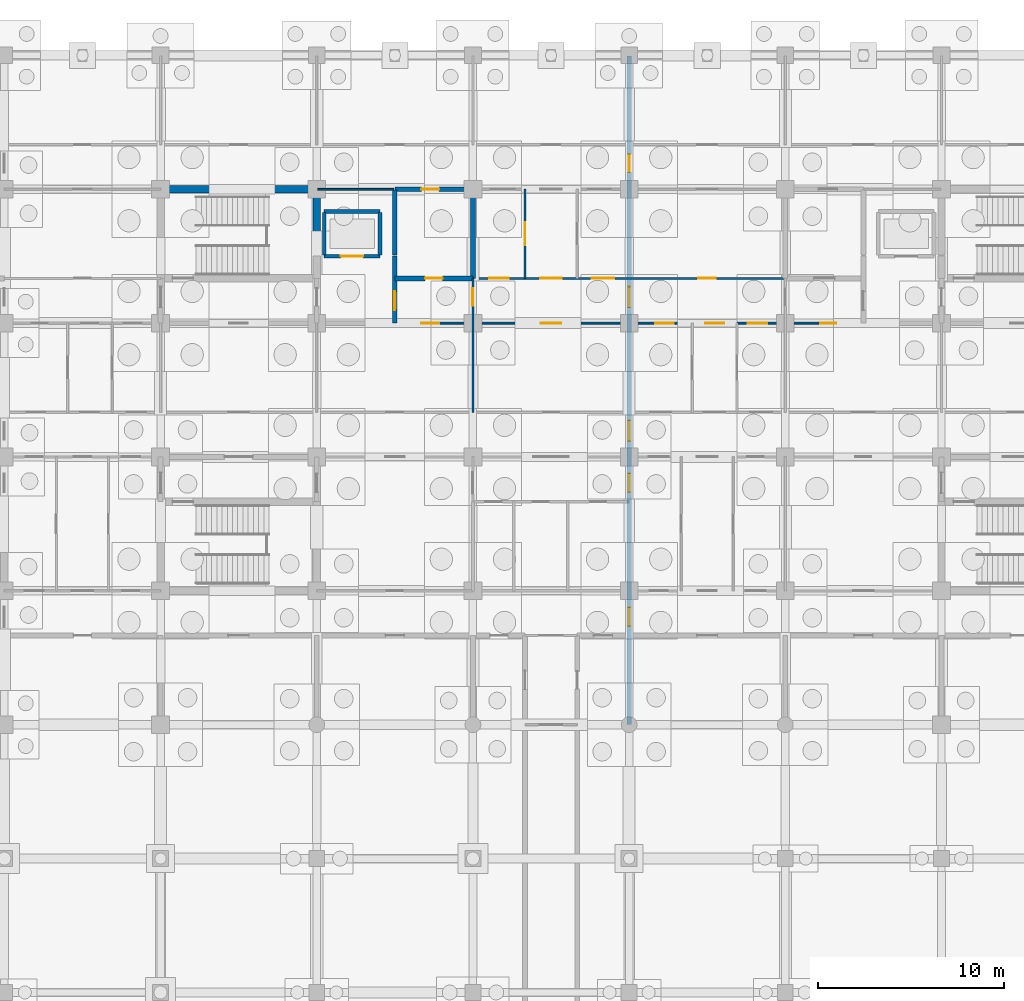
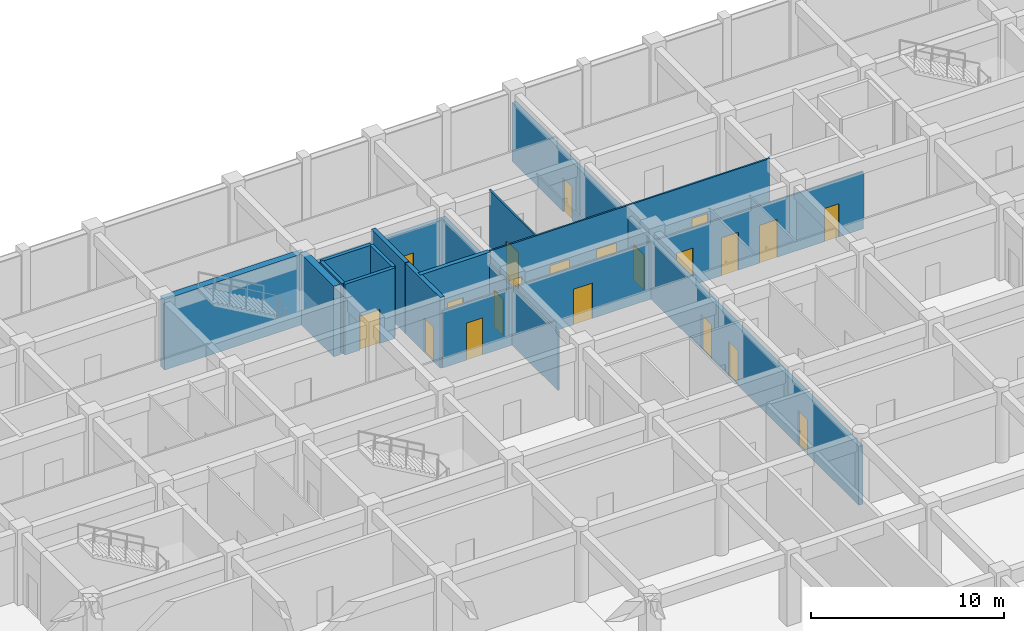
# One storey, part 71 of 85: 21 doors, 17 walls, 21 openings.
"""IFC4 building model written with IfcOpenShell, lengths in metres."""

from ifc_helpers import new_model, si_unit, direction, frame, frame_2d, origin, place, context, subcontext, project, spatial, rectangle, extrude, material, layer, layer_set, type_object, element, fill, save


model = new_model("IFC4")

# Units and contexts
model_context = context("Model", 3, precision=1e-05, world=origin(), true_north=direction((0.0, 1.0)))
body_context = subcontext(model_context, "Body", "Model", "MODEL_VIEW")
ifc_project = project(units=[si_unit("LENGTHUNIT", "METRE"), si_unit("AREAUNIT", "SQUARE_METRE"), si_unit("VOLUMEUNIT", "CUBIC_METRE"), si_unit("PLANEANGLEUNIT", "RADIAN"), si_unit("MASSUNIT", "GRAM", prefix="KILO")], contexts=[model_context])

# Site, building, storey
site_placement = place(None, origin())
site = spatial("IfcSite", under=ifc_project, at=site_placement, CompositionType="ELEMENT")
building_placement = place(site_placement, origin())
building = spatial("IfcBuilding", under=site, at=building_placement, Name="Chengyuan Square Courthouse", CompositionType="ELEMENT")
storey_placement = place(building_placement, frame((0.0, 0.0, -10.199951171875)))
storey = spatial("IfcBuildingStorey", under=building, at=storey_placement, Name="B02", CompositionType="ELEMENT", Elevation=-10.199951171875)

# Wall, opening, door
ifc_material_1 = material(Name="Concrete C40", Category="concrete")
ifc_layer_1 = layer(ifc_material_1, 0.25)
ifc_layer_set_1 = layer_set([ifc_layer_1], Name="Concrete C40")
wall_type_1 = type_object("IfcWallType", Name="WL-FW1", PredefinedType="STANDARD", material=ifc_layer_set_1)
wall_1_placement = place(storey_placement, frame((71.39990234375, 103.199951171875, 0.0), z_axis=(0.0, 0.0, 1.0), x_axis=(1.0, 0.0, 0.0)))
wall_1 = element("IfcWall", 1, at=wall_1_placement, inside=storey, type_object=wall_type_1, Name="Interior Wall WL-B02-I078", PredefinedType="STANDARD", context=body_context, shape_type="SweptSolid", body=[
    extrude(rectangle(XDim=4.2001953125, YDim=0.25, at=frame_2d((2.10009765625, 0.0))), origin(), (0.0, 0.0, 1.0), 4.47998046875),
])
opening_1_placement = place(wall_1_placement, frame((1.625, 0.0, 0.0)))
opening_1 = element("IfcOpeningElement", 2, at=opening_1_placement, cuts=wall_1, Name="Opening DR-063", PredefinedType="OPENING", context=body_context, shape_type="SweptSolid", body=[
    extrude(rectangle(XDim=0.949951171875, YDim=2.14990234375, at=frame_2d((0.47509765625, 1.074951171875))), frame((0.0, 0.136962890625, 0.0), z_axis=(0.0, -1.0, 0.0), x_axis=(1.0, 0.0, 0.0)), (0.0, 0.0, 1.0), 0.27392578125),
])
ifc_material_2 = material(Name="Steel Q235B Fire Door", Category="steel")
door_type_1 = type_object("IfcDoorType", Name="DT-12", OperationType="NOTDEFINED", PredefinedType="DOOR", material=ifc_material_2)
door_1_placement = place(opening_1_placement, origin())
door_1 = element("IfcDoor", 3, at=door_1_placement, inside=storey, type_object=door_type_1, Name="Interior Door DR-063", OperationType="SINGLE_SWING_LEFT", OverallHeight=2.14990234375, OverallWidth=0.949951171875, PredefinedType="DOOR", context=body_context, shape_type="SweptSolid", body=[
    extrude(rectangle(XDim=0.949951171875, YDim=2.14990234375, at=frame_2d((0.47509765625, 1.074951171875))), frame((0.0, 0.02490234375, 0.0), z_axis=(0.0, -1.0, 0.0), x_axis=(1.0, 0.0, 0.0)), (0.0, 0.0, 1.0), 0.050048828125),
])
fill(opening_1, door_1)

wall_2_placement = place(storey_placement, frame((71.39990234375, 108.0, 0.0), z_axis=(0.0, 0.0, 1.0), x_axis=(1.0, 0.0, 0.0)))
wall_2 = element("IfcWall", 4, at=wall_2_placement, inside=storey, type_object=wall_type_1, Name="Interior Wall WL-B02-I100", PredefinedType="STANDARD", context=body_context, shape_type="SweptSolid", body=[
    extrude(rectangle(XDim=4.2001953125, YDim=0.25, at=frame_2d((2.10009765625, 0.0))), origin(), (0.0, 0.0, 1.0), 3.6298828125),
])
opening_2_placement = place(wall_2_placement, frame((1.427490234375, 0.0, 0.0)))
opening_2 = element("IfcOpeningElement", 5, at=opening_2_placement, cuts=wall_2, Name="Opening DR-066", PredefinedType="OPENING", context=body_context, shape_type="SweptSolid", body=[
    extrude(rectangle(XDim=0.949951171875, YDim=2.14990234375, at=frame_2d((0.47509765625, 1.074951171875))), frame((0.0, 0.136962890625, 0.0), z_axis=(0.0, -1.0, 0.0), x_axis=(1.0, 0.0, 0.0)), (0.0, 0.0, 1.0), 0.27392578125),
])
door_2_placement = place(opening_2_placement, origin())
door_2 = element("IfcDoor", 6, at=door_2_placement, inside=storey, type_object=door_type_1, Name="Interior Door DR-066", OperationType="SINGLE_SWING_RIGHT", OverallHeight=2.14990234375, OverallWidth=0.949951171875, PredefinedType="DOOR", context=body_context, shape_type="SweptSolid", body=[
    extrude(rectangle(XDim=0.949951171875, YDim=2.14990234375, at=frame_2d((0.47509765625, 1.074951171875))), frame((0.0, 0.02490234375, 0.0), z_axis=(0.0, -1.0, 0.0), x_axis=(1.0, 0.0, 0.0)), (0.0, 0.0, 1.0), 0.050048828125),
])
fill(opening_2, door_2)

wall_3_placement = place(storey_placement, frame((71.39990234375, 100.800048828125, 0.0), z_axis=(0.0, 0.0, 1.0), x_axis=(0.0, 1.0, 0.0)))
wall_3 = element("IfcWall", 7, at=wall_3_placement, inside=storey, type_object=wall_type_1, Name="Interior Wall WL-B02-I181", PredefinedType="STANDARD", context=body_context, shape_type="SweptSolid", body=[
    extrude(rectangle(XDim=3.599853515625, YDim=0.25, at=frame_2d((1.7998046875, 0.0))), origin(), (0.0, 0.0, 1.0), 4.47998046875),
])
opening_3_placement = place(wall_3_placement, frame((0.699951171875, 0.0, 0.0)))
opening_3 = element("IfcOpeningElement", 8, at=opening_3_placement, cuts=wall_3, Name="Opening DR-062", PredefinedType="OPENING", context=body_context, shape_type="SweptSolid", body=[
    extrude(rectangle(XDim=1.0, YDim=2.199951171875, at=frame_2d((0.5, 1.10009765625))), frame((0.0, 0.136962890625, 0.0), z_axis=(0.0, -1.0, 0.0), x_axis=(1.0, 0.0, 0.0)), (0.0, 0.0, 1.0), 0.27392578125),
])
door_type_2 = type_object("IfcDoorType", Name="DT-11", OperationType="NOTDEFINED", PredefinedType="DOOR", material=ifc_material_2)
door_3_placement = place(opening_3_placement, origin())
door_3 = element("IfcDoor", 9, at=door_3_placement, inside=storey, type_object=door_type_2, Name="Interior Door DR-062", OperationType="SINGLE_SWING_RIGHT", OverallHeight=2.199951171875, OverallWidth=1.0, PredefinedType="DOOR", context=body_context, shape_type="SweptSolid", body=[
    extrude(rectangle(XDim=1.0, YDim=2.199951171875, at=frame_2d((0.5, 1.10009765625))), frame((0.0, 0.02490234375, 0.0), z_axis=(0.0, -1.0, 0.0), x_axis=(1.0, 0.0, 0.0)), (0.0, 0.0, 1.0), 0.050048828125),
])
fill(opening_3, door_3)

# Walls
wall_4_placement = place(storey_placement, frame((71.39990234375, 104.449951171875, 0.0), z_axis=(0.0, 0.0, 1.0), x_axis=(0.0, 1.0, 0.0)))
element("IfcWall", 10, at=wall_4_placement, inside=storey, type_object=wall_type_1, Name="Interior Wall WL-B02-I182", PredefinedType="STANDARD", context=body_context, shape_type="SweptSolid", body=[
    extrude(rectangle(XDim=3.5, YDim=0.25, at=frame_2d((1.75, 0.0))), origin(), (0.0, 0.0, 1.0), 4.47998046875),
])
wall_5_placement = place(storey_placement, frame((75.60009765625, 103.199951171875, 0.0), z_axis=(0.0, 0.0, 1.0), x_axis=(0.0, 1.0, 0.0)))
element("IfcWall", 11, at=wall_5_placement, inside=storey, type_object=wall_type_1, Name="Interior Wall WL-B02-I187", PredefinedType="STANDARD", context=body_context, shape_type="SweptSolid", body=[
    extrude(rectangle(XDim=4.800048828125, YDim=0.25, at=frame_2d((2.39990234375, 0.0))), origin(), (0.0, 0.0, 1.0), 3.72998046875),
])

# Wall, openings, doors
wall_6_placement = place(storey_placement, frame((84.0, 79.199951171875, 0.0), z_axis=(0.0, 0.0, 1.0), x_axis=(0.0, 1.0, 0.0)))
wall_6 = element("IfcWall", 12, at=wall_6_placement, inside=storey, type_object=wall_type_1, Name="Interior Wall WL-B02-I199", PredefinedType="STANDARD", context=body_context, shape_type="SweptSolid", body=[
    extrude(rectangle(XDim=35.9599609375, YDim=0.25, at=frame_2d((17.97998046875, 0.0))), origin(), (0.0, 0.0, 1.0), 3.72998046875),
])
opening_4_placement = place(wall_6_placement, frame((22.447509765625, 0.0, 0.0)))
opening_4 = element("IfcOpeningElement", 13, at=opening_4_placement, cuts=wall_6, Name="Opening DR-109", PredefinedType="OPENING", context=body_context, shape_type="SweptSolid", body=[
    extrude(rectangle(XDim=1.10009765625, YDim=2.199951171875, at=frame_2d((0.550048828125, 1.10009765625))), frame((0.0, 0.136962890625, 0.0), z_axis=(0.0, -1.0, 0.0), x_axis=(1.0, 0.0, 0.0)), (0.0, 0.0, 1.0), 0.27392578125),
])
opening_5_placement = place(wall_6_placement, frame((12.50244140625, 0.0, 0.0)))
opening_5 = element("IfcOpeningElement", 14, at=opening_5_placement, cuts=wall_6, Name="Opening DR-146", PredefinedType="OPENING", context=body_context, shape_type="SweptSolid", body=[
    extrude(rectangle(XDim=1.0, YDim=2.199951171875, at=frame_2d((0.5, 1.10009765625))), frame((0.0, 0.136962890625, 0.0), z_axis=(0.0, -1.0, 0.0), x_axis=(1.0, 0.0, 0.0)), (0.0, 0.0, 1.0), 0.27392578125),
])
opening_6_placement = place(wall_6_placement, frame((15.24755859375, 0.0, 0.0)))
opening_6 = element("IfcOpeningElement", 15, at=opening_6_placement, cuts=wall_6, Name="Opening DR-166", PredefinedType="OPENING", context=body_context, shape_type="SweptSolid", body=[
    extrude(rectangle(XDim=1.10009765625, YDim=2.199951171875, at=frame_2d((0.550048828125, 1.10009765625))), frame((0.0, 0.136962890625, 0.0), z_axis=(0.0, -1.0, 0.0), x_axis=(1.0, 0.0, 0.0)), (0.0, 0.0, 1.0), 0.27392578125),
])
opening_7_placement = place(wall_6_placement, frame((29.722412109375, 0.0, 0.0)))
opening_7 = element("IfcOpeningElement", 16, at=opening_7_placement, cuts=wall_6, Name="Opening DR-273", PredefinedType="OPENING", context=body_context, shape_type="SweptSolid", body=[
    extrude(rectangle(XDim=0.949951171875, YDim=2.14990234375, at=frame_2d((0.47509765625, 1.074951171875))), frame((0.0, 0.136962890625, 0.0), z_axis=(0.0, -1.0, 0.0), x_axis=(1.0, 0.0, 0.0)), (0.0, 0.0, 1.0), 0.27392578125),
])
opening_8_placement = place(wall_6_placement, frame((5.302490234375, 0.0, 0.0)))
opening_8 = element("IfcOpeningElement", 17, at=opening_8_placement, cuts=wall_6, Name="Opening DR-296", PredefinedType="OPENING", context=body_context, shape_type="SweptSolid", body=[
    extrude(rectangle(XDim=1.0, YDim=2.199951171875, at=frame_2d((0.5, 1.10009765625))), frame((0.0, 0.136962890625, 0.0), z_axis=(0.0, -1.0, 0.0), x_axis=(1.0, 0.0, 0.0)), (0.0, 0.0, 1.0), 0.27392578125),
])
door_type_3 = type_object("IfcDoorType", Name="DT-10", OperationType="NOTDEFINED", PredefinedType="DOOR", material=ifc_material_2)
door_4_placement = place(opening_4_placement, origin())
door_4 = element("IfcDoor", 18, at=door_4_placement, inside=storey, type_object=door_type_3, Name="Interior Door DR-109", OperationType="SINGLE_SWING_LEFT", OverallHeight=2.199951171875, OverallWidth=1.10009765625, PredefinedType="DOOR", context=body_context, shape_type="SweptSolid", body=[
    extrude(rectangle(XDim=1.10009765625, YDim=2.199951171875, at=frame_2d((0.550048828125, 1.10009765625))), frame((0.0, 0.02490234375, 0.0), z_axis=(0.0, -1.0, 0.0), x_axis=(1.0, 0.0, 0.0)), (0.0, 0.0, 1.0), 0.050048828125),
])
fill(opening_4, door_4)
door_5_placement = place(opening_6_placement, origin())
door_5 = element("IfcDoor", 19, at=door_5_placement, inside=storey, type_object=door_type_3, Name="Interior Door DR-166", OperationType="SINGLE_SWING_LEFT", OverallHeight=2.199951171875, OverallWidth=1.10009765625, PredefinedType="DOOR", context=body_context, shape_type="SweptSolid", body=[
    extrude(rectangle(XDim=1.10009765625, YDim=2.199951171875, at=frame_2d((0.550048828125, 1.10009765625))), frame((0.0, 0.02490234375, 0.0), z_axis=(0.0, -1.0, 0.0), x_axis=(1.0, 0.0, 0.0)), (0.0, 0.0, 1.0), 0.050048828125),
])
fill(opening_6, door_5)
door_6_placement = place(opening_5_placement, origin())
door_6 = element("IfcDoor", 20, at=door_6_placement, inside=storey, type_object=door_type_2, Name="Interior Door DR-146", OperationType="SINGLE_SWING_LEFT", OverallHeight=2.199951171875, OverallWidth=1.0, PredefinedType="DOOR", context=body_context, shape_type="SweptSolid", body=[
    extrude(rectangle(XDim=1.0, YDim=2.199951171875, at=frame_2d((0.5, 1.10009765625))), frame((0.0, 0.02490234375, 0.0), z_axis=(0.0, -1.0, 0.0), x_axis=(1.0, 0.0, 0.0)), (0.0, 0.0, 1.0), 0.050048828125),
])
fill(opening_5, door_6)
door_7_placement = place(opening_8_placement, origin())
door_7 = element("IfcDoor", 21, at=door_7_placement, inside=storey, type_object=door_type_2, Name="Interior Door DR-296", OperationType="SINGLE_SWING_LEFT", OverallHeight=2.199951171875, OverallWidth=1.0, PredefinedType="DOOR", context=body_context, shape_type="SweptSolid", body=[
    extrude(rectangle(XDim=1.0, YDim=2.199951171875, at=frame_2d((0.5, 1.10009765625))), frame((0.0, 0.02490234375, 0.0), z_axis=(0.0, -1.0, 0.0), x_axis=(1.0, 0.0, 0.0)), (0.0, 0.0, 1.0), 0.050048828125),
])
fill(opening_8, door_7)
door_8_placement = place(opening_7_placement, origin())
door_8 = element("IfcDoor", 22, at=door_8_placement, inside=storey, type_object=door_type_1, Name="Interior Door DR-273", OperationType="SINGLE_SWING_RIGHT", OverallHeight=2.14990234375, OverallWidth=0.949951171875, PredefinedType="DOOR", context=body_context, shape_type="SweptSolid", body=[
    extrude(rectangle(XDim=0.949951171875, YDim=2.14990234375, at=frame_2d((0.47509765625, 1.074951171875))), frame((0.0, 0.02490234375, 0.0), z_axis=(0.0, -1.0, 0.0), x_axis=(1.0, 0.0, 0.0)), (0.0, 0.0, 1.0), 0.050048828125),
])
fill(opening_7, door_8)

ifc_material_3 = material(Name="Gypsum Plasterboard Acoustic Stud Partition")
ifc_layer_2 = layer(ifc_material_3, 0.10009765625)
ifc_layer_set_2 = layer_set([ifc_layer_2], Name="Gypsum Plasterboard Acoustic Stud Partition")
wall_type_2 = type_object("IfcWallType", Name="WL-PT6", PredefinedType="STANDARD", material=ifc_layer_set_2)
wall_7_placement = place(storey_placement, frame((71.39990234375, 100.800048828125, 0.0), z_axis=(0.0, 0.0, 1.0), x_axis=(1.0, 0.0, 0.0)))
wall_7 = element("IfcWall", 23, at=wall_7_placement, inside=storey, type_object=wall_type_2, Name="Interior Wall WL-B02-I068", PredefinedType="STANDARD", context=body_context, shape_type="SweptSolid", body=[
    extrude(rectangle(XDim=25.2001953125, YDim=0.10009765625, at=frame_2d((12.60009765625, 0.0))), origin(), (0.0, 0.0, 1.0), 3.6298828125),
])
opening_9_placement = place(wall_7_placement, frame((1.41259765625, 0.0, 0.0)))
opening_9 = element("IfcOpeningElement", 24, at=opening_9_placement, cuts=wall_7, Name="Opening DR-065", PredefinedType="OPENING", context=body_context, shape_type="SweptSolid", body=[
    extrude(rectangle(XDim=0.97998046875, YDim=2.35009765625, at=frame_2d((0.489990234375, 1.175048828125))), frame((0.0, 0.06201171875, 0.0), z_axis=(0.0, -1.0, 0.0), x_axis=(1.0, 0.0, 0.0)), (0.0, 0.0, 1.0), 0.1240234375),
])
opening_10_placement = place(wall_7_placement, frame((22.867431640625, 0.0, 0.0)))
opening_10 = element("IfcOpeningElement", 25, at=opening_10_placement, cuts=wall_7, Name="Opening DR-070", PredefinedType="OPENING", context=body_context, shape_type="SweptSolid", body=[
    extrude(rectangle(XDim=0.860107421875, YDim=2.10009765625, at=frame_2d((0.43017578125, 1.050048828125))), frame((0.0, 0.06201171875, 0.0), z_axis=(0.0, -1.0, 0.0), x_axis=(1.0, 0.0, 0.0)), (0.0, 0.0, 1.0), 0.1240234375),
])
opening_11_placement = place(wall_7_placement, frame((7.840087890625, 0.0, 0.0)))
opening_11 = element("IfcOpeningElement", 26, at=opening_11_placement, cuts=wall_7, Name="Opening DR-110", PredefinedType="OPENING", context=body_context, shape_type="SweptSolid", body=[
    extrude(rectangle(XDim=1.1201171875, YDim=2.25, at=frame_2d((0.56005859375, 1.125))), frame((0.0, 0.06201171875, 0.0), z_axis=(0.0, -1.0, 0.0), x_axis=(1.0, 0.0, 0.0)), (0.0, 0.0, 1.0), 0.1240234375),
])
opening_12_placement = place(wall_7_placement, frame((14.007568359375, 0.0, 0.0)))
opening_12 = element("IfcOpeningElement", 27, at=opening_12_placement, cuts=wall_7, Name="Opening DR-116", PredefinedType="OPENING", context=body_context, shape_type="SweptSolid", body=[
    extrude(rectangle(XDim=0.97998046875, YDim=2.35009765625, at=frame_2d((0.489990234375, 1.175048828125))), frame((0.0, 0.06201171875, 0.0), z_axis=(0.0, -1.0, 0.0), x_axis=(1.0, 0.0, 0.0)), (0.0, 0.0, 1.0), 0.1240234375),
])
opening_13_placement = place(wall_7_placement, frame((16.68994140625, 0.0, 0.0)))
opening_13 = element("IfcOpeningElement", 28, at=opening_13_placement, cuts=wall_7, Name="Opening DR-117", PredefinedType="OPENING", context=body_context, shape_type="SweptSolid", body=[
    extrude(rectangle(XDim=1.02001953125, YDim=2.39990234375, at=frame_2d((0.510009765625, 1.199951171875))), frame((0.0, 0.06201171875, 0.0), z_axis=(0.0, -1.0, 0.0), x_axis=(1.0, 0.0, 0.0)), (0.0, 0.0, 1.0), 0.1240234375),
])
opening_14_placement = place(wall_7_placement, frame((18.972412109375, 0.0, 0.0)))
opening_14 = element("IfcOpeningElement", 29, at=opening_14_placement, cuts=wall_7, Name="Opening DR-118", PredefinedType="OPENING", context=body_context, shape_type="SweptSolid", body=[
    extrude(rectangle(XDim=1.06005859375, YDim=2.39990234375, at=frame_2d((0.530029296875, 1.199951171875))), frame((0.0, 0.06201171875, 0.0), z_axis=(0.0, -1.0, 0.0), x_axis=(1.0, 0.0, 0.0)), (0.0, 0.0, 1.0), 0.1240234375),
])
ifc_material_4 = material(Name="Acoustic Solid-Core Timber Door", Category="wood")
door_type_4 = type_object("IfcDoorType", Name="DT-28", OperationType="NOTDEFINED", PredefinedType="DOOR", material=ifc_material_4)
door_9_placement = place(opening_10_placement, origin())
door_9 = element("IfcDoor", 30, at=door_9_placement, inside=storey, type_object=door_type_4, Name="Interior Door DR-070", OperationType="SINGLE_SWING_RIGHT", OverallHeight=2.10009765625, OverallWidth=0.860107421875, PredefinedType="DOOR", context=body_context, shape_type="SweptSolid", body=[
    extrude(rectangle(XDim=0.860107421875, YDim=2.10009765625, at=frame_2d((0.43017578125, 1.050048828125))), frame((0.0, 0.02490234375, 0.0), z_axis=(0.0, -1.0, 0.0), x_axis=(1.0, 0.0, 0.0)), (0.0, 0.0, 1.0), 0.050048828125),
])
fill(opening_10, door_9)
door_type_5 = type_object("IfcDoorType", Name="DT-34", OperationType="NOTDEFINED", PredefinedType="DOOR", material=ifc_material_4)
door_10_placement = place(opening_11_placement, origin())
door_10 = element("IfcDoor", 31, at=door_10_placement, inside=storey, type_object=door_type_5, Name="Interior Door DR-110", OperationType="SINGLE_SWING_RIGHT", OverallHeight=2.25, OverallWidth=1.1201171875, PredefinedType="DOOR", context=body_context, shape_type="SweptSolid", body=[
    extrude(rectangle(XDim=1.1201171875, YDim=2.25, at=frame_2d((0.56005859375, 1.125))), frame((0.0, 0.02490234375, 0.0), z_axis=(0.0, -1.0, 0.0), x_axis=(1.0, 0.0, 0.0)), (0.0, 0.0, 1.0), 0.050048828125),
])
fill(opening_11, door_10)
door_type_6 = type_object("IfcDoorType", Name="DT-40", OperationType="NOTDEFINED", PredefinedType="DOOR", material=ifc_material_4)
door_11_placement = place(opening_9_placement, origin())
door_11 = element("IfcDoor", 32, at=door_11_placement, inside=storey, type_object=door_type_6, Name="Interior Door DR-065", OperationType="SINGLE_SWING_LEFT", OverallHeight=2.35009765625, OverallWidth=0.97998046875, PredefinedType="DOOR", context=body_context, shape_type="SweptSolid", body=[
    extrude(rectangle(XDim=0.97998046875, YDim=2.35009765625, at=frame_2d((0.489990234375, 1.175048828125))), frame((0.0, 0.02490234375, 0.0), z_axis=(0.0, -1.0, 0.0), x_axis=(1.0, 0.0, 0.0)), (0.0, 0.0, 1.0), 0.050048828125),
])
fill(opening_9, door_11)
door_12_placement = place(opening_12_placement, origin())
door_12 = element("IfcDoor", 33, at=door_12_placement, inside=storey, type_object=door_type_6, Name="Interior Door DR-116", OperationType="SINGLE_SWING_RIGHT", OverallHeight=2.35009765625, OverallWidth=0.97998046875, PredefinedType="DOOR", context=body_context, shape_type="SweptSolid", body=[
    extrude(rectangle(XDim=0.97998046875, YDim=2.35009765625, at=frame_2d((0.489990234375, 1.175048828125))), frame((0.0, 0.02490234375, 0.0), z_axis=(0.0, -1.0, 0.0), x_axis=(1.0, 0.0, 0.0)), (0.0, 0.0, 1.0), 0.050048828125),
])
fill(opening_12, door_12)
door_type_7 = type_object("IfcDoorType", Name="DT-41", OperationType="NOTDEFINED", PredefinedType="DOOR", material=ifc_material_4)
door_13_placement = place(opening_13_placement, origin())
door_13 = element("IfcDoor", 34, at=door_13_placement, inside=storey, type_object=door_type_7, Name="Interior Door DR-117", OperationType="SINGLE_SWING_LEFT", OverallHeight=2.39990234375, OverallWidth=1.02001953125, PredefinedType="DOOR", context=body_context, shape_type="SweptSolid", body=[
    extrude(rectangle(XDim=1.02001953125, YDim=2.39990234375, at=frame_2d((0.510009765625, 1.199951171875))), frame((0.0, 0.02490234375, 0.0), z_axis=(0.0, -1.0, 0.0), x_axis=(1.0, 0.0, 0.0)), (0.0, 0.0, 1.0), 0.050048828125),
])
fill(opening_13, door_13)
door_type_8 = type_object("IfcDoorType", Name="DT-42", OperationType="NOTDEFINED", PredefinedType="DOOR", material=ifc_material_4)
door_14_placement = place(opening_14_placement, origin())
door_14 = element("IfcDoor", 35, at=door_14_placement, inside=storey, type_object=door_type_8, Name="Interior Door DR-118", OperationType="SINGLE_SWING_RIGHT", OverallHeight=2.39990234375, OverallWidth=1.06005859375, PredefinedType="DOOR", context=body_context, shape_type="SweptSolid", body=[
    extrude(rectangle(XDim=1.06005859375, YDim=2.39990234375, at=frame_2d((0.530029296875, 1.199951171875))), frame((0.0, 0.02490234375, 0.0), z_axis=(0.0, -1.0, 0.0), x_axis=(1.0, 0.0, 0.0)), (0.0, 0.0, 1.0), 0.050048828125),
])
fill(opening_14, door_14)

wall_8_placement = place(storey_placement, frame((75.60009765625, 103.199951171875, 0.0), z_axis=(0.0, 0.0, 1.0), x_axis=(1.0, 0.0, 0.0)))
wall_8 = element("IfcWall", 36, at=wall_8_placement, inside=storey, type_object=wall_type_2, Name="Interior Wall WL-B02-I079", PredefinedType="STANDARD", context=body_context, shape_type="SweptSolid", body=[
    extrude(rectangle(XDim=16.7998046875, YDim=0.10009765625, at=frame_2d((8.39990234375, 0.0))), origin(), (0.0, 0.0, 1.0), 4.47998046875),
])
opening_15_placement = place(wall_8_placement, frame((0.8798828125, 0.0, 0.0)))
opening_15 = element("IfcOpeningElement", 37, at=opening_15_placement, cuts=wall_8, Name="Opening DR-108", PredefinedType="OPENING", context=body_context, shape_type="SweptSolid", body=[
    extrude(rectangle(XDim=1.0400390625, YDim=2.199951171875, at=frame_2d((0.52001953125, 1.10009765625))), frame((0.0, 0.06201171875, 0.0), z_axis=(0.0, -1.0, 0.0), x_axis=(1.0, 0.0, 0.0)), (0.0, 0.0, 1.0), 0.1240234375),
])
opening_16_placement = place(wall_8_placement, frame((3.6201171875, 0.0, 0.0)))
opening_16 = element("IfcOpeningElement", 38, at=opening_16_placement, cuts=wall_8, Name="Opening DR-111", PredefinedType="OPENING", context=body_context, shape_type="SweptSolid", body=[
    extrude(rectangle(XDim=1.159912109375, YDim=2.300048828125, at=frame_2d((0.580078125, 1.14990234375))), frame((0.0, 0.06201171875, 0.0), z_axis=(0.0, -1.0, 0.0), x_axis=(1.0, 0.0, 0.0)), (0.0, 0.0, 1.0), 0.1240234375),
])
opening_17_placement = place(wall_8_placement, frame((6.39990234375, 0.0, 0.0)))
opening_17 = element("IfcOpeningElement", 39, at=opening_17_placement, cuts=wall_8, Name="Opening DR-112", PredefinedType="OPENING", context=body_context, shape_type="SweptSolid", body=[
    extrude(rectangle(XDim=1.199951171875, YDim=2.35009765625, at=frame_2d((0.60009765625, 1.175048828125))), frame((0.0, 0.06201171875, 0.0), z_axis=(0.0, -1.0, 0.0), x_axis=(1.0, 0.0, 0.0)), (0.0, 0.0, 1.0), 0.1240234375),
])
opening_18_placement = place(wall_8_placement, frame((12.1298828125, 0.0, 0.0)))
opening_18 = element("IfcOpeningElement", 40, at=opening_18_placement, cuts=wall_8, Name="Opening DR-115", PredefinedType="OPENING", context=body_context, shape_type="SweptSolid", body=[
    extrude(rectangle(XDim=0.93994140625, YDim=2.300048828125, at=frame_2d((0.469970703125, 1.14990234375))), frame((0.0, 0.06201171875, 0.0), z_axis=(0.0, -1.0, 0.0), x_axis=(1.0, 0.0, 0.0)), (0.0, 0.0, 1.0), 0.1240234375),
])
door_type_9 = type_object("IfcDoorType", Name="DT-32", OperationType="NOTDEFINED", PredefinedType="DOOR", material=ifc_material_4)
door_15_placement = place(opening_15_placement, origin())
door_15 = element("IfcDoor", 41, at=door_15_placement, inside=storey, type_object=door_type_9, Name="Interior Door DR-108", OperationType="SINGLE_SWING_RIGHT", OverallHeight=2.199951171875, OverallWidth=1.0400390625, PredefinedType="DOOR", context=body_context, shape_type="SweptSolid", body=[
    extrude(rectangle(XDim=1.0400390625, YDim=2.199951171875, at=frame_2d((0.52001953125, 1.10009765625))), frame((0.0, 0.02490234375, 0.0), z_axis=(0.0, -1.0, 0.0), x_axis=(1.0, 0.0, 0.0)), (0.0, 0.0, 1.0), 0.050048828125),
])
fill(opening_15, door_15)
door_type_10 = type_object("IfcDoorType", Name="DT-35", OperationType="NOTDEFINED", PredefinedType="DOOR", material=ifc_material_4)
door_16_placement = place(opening_16_placement, origin())
door_16 = element("IfcDoor", 42, at=door_16_placement, inside=storey, type_object=door_type_10, Name="Interior Door DR-111", OperationType="SINGLE_SWING_LEFT", OverallHeight=2.300048828125, OverallWidth=1.159912109375, PredefinedType="DOOR", context=body_context, shape_type="SweptSolid", body=[
    extrude(rectangle(XDim=1.159912109375, YDim=2.300048828125, at=frame_2d((0.580078125, 1.14990234375))), frame((0.0, 0.02490234375, 0.0), z_axis=(0.0, -1.0, 0.0), x_axis=(1.0, 0.0, 0.0)), (0.0, 0.0, 1.0), 0.050048828125),
])
fill(opening_16, door_16)
door_type_11 = type_object("IfcDoorType", Name="DT-36", OperationType="NOTDEFINED", PredefinedType="DOOR", material=ifc_material_4)
door_17_placement = place(opening_17_placement, origin())
door_17 = element("IfcDoor", 43, at=door_17_placement, inside=storey, type_object=door_type_11, Name="Interior Door DR-112", OperationType="SINGLE_SWING_RIGHT", OverallHeight=2.35009765625, OverallWidth=1.199951171875, PredefinedType="DOOR", context=body_context, shape_type="SweptSolid", body=[
    extrude(rectangle(XDim=1.199951171875, YDim=2.35009765625, at=frame_2d((0.60009765625, 1.175048828125))), frame((0.0, 0.02490234375, 0.0), z_axis=(0.0, -1.0, 0.0), x_axis=(1.0, 0.0, 0.0)), (0.0, 0.0, 1.0), 0.050048828125),
])
fill(opening_17, door_17)
door_type_12 = type_object("IfcDoorType", Name="DT-39", OperationType="NOTDEFINED", PredefinedType="DOOR", material=ifc_material_4)
door_18_placement = place(opening_18_placement, origin())
door_18 = element("IfcDoor", 44, at=door_18_placement, inside=storey, type_object=door_type_12, Name="Interior Door DR-115", OperationType="SINGLE_SWING_LEFT", OverallHeight=2.300048828125, OverallWidth=0.93994140625, PredefinedType="DOOR", context=body_context, shape_type="SweptSolid", body=[
    extrude(rectangle(XDim=0.93994140625, YDim=2.300048828125, at=frame_2d((0.469970703125, 1.14990234375))), frame((0.0, 0.02490234375, 0.0), z_axis=(0.0, -1.0, 0.0), x_axis=(1.0, 0.0, 0.0)), (0.0, 0.0, 1.0), 0.050048828125),
])
fill(opening_18, door_18)

# Wall
wall_9_placement = place(storey_placement, frame((67.25, 108.0, 0.0), z_axis=(0.0, 0.0, 1.0), x_axis=(1.0, 0.0, 0.0)))
element("IfcWall", 45, at=wall_9_placement, inside=storey, type_object=wall_type_2, Name="Interior Wall WL-B02-I099", PredefinedType="STANDARD", context=body_context, shape_type="SweptSolid", body=[
    extrude(rectangle(XDim=4.10009765625, YDim=0.10009765625, at=frame_2d((2.050048828125, 0.0))), origin(), (0.0, 0.0, 1.0), 3.6298828125),
])

# Wall, opening, door
wall_10_placement = place(storey_placement, frame((75.60009765625, 96.0, 0.0), z_axis=(0.0, 0.0, 1.0), x_axis=(0.0, 1.0, 0.0)))
wall_10 = element("IfcWall", 46, at=wall_10_placement, inside=storey, type_object=wall_type_2, Name="Interior Wall WL-B02-I186", PredefinedType="STANDARD", context=body_context, shape_type="SweptSolid", body=[
    extrude(rectangle(XDim=7.199951171875, YDim=0.10009765625, at=frame_2d((3.60009765625, 0.0))), origin(), (0.0, 0.0, 1.0), 3.72998046875),
])
opening_19_placement = place(wall_10_placement, frame((5.7275390625, 0.0, 0.0)))
opening_19 = element("IfcOpeningElement", 47, at=opening_19_placement, cuts=wall_10, Name="Opening DR-064", PredefinedType="OPENING", context=body_context, shape_type="SweptSolid", body=[
    extrude(rectangle(XDim=0.93994140625, YDim=2.300048828125, at=frame_2d((0.469970703125, 1.14990234375))), frame((0.0, 0.06201171875, 0.0), z_axis=(0.0, -1.0, 0.0), x_axis=(1.0, 0.0, 0.0)), (0.0, 0.0, 1.0), 0.1240234375),
])
door_19_placement = place(opening_19_placement, origin())
door_19 = element("IfcDoor", 48, at=door_19_placement, inside=storey, type_object=door_type_12, Name="Interior Door DR-064", OperationType="SINGLE_SWING_RIGHT", OverallHeight=2.300048828125, OverallWidth=0.93994140625, PredefinedType="DOOR", context=body_context, shape_type="SweptSolid", body=[
    extrude(rectangle(XDim=0.93994140625, YDim=2.300048828125, at=frame_2d((0.469970703125, 1.14990234375))), frame((0.0, 0.02490234375, 0.0), z_axis=(0.0, -1.0, 0.0), x_axis=(1.0, 0.0, 0.0)), (0.0, 0.0, 1.0), 0.050048828125),
])
fill(opening_19, door_19)

wall_11_placement = place(storey_placement, frame((78.39990234375, 103.199951171875, 0.0), z_axis=(0.0, 0.0, 1.0), x_axis=(0.0, 1.0, 0.0)))
wall_11 = element("IfcWall", 49, at=wall_11_placement, inside=storey, type_object=wall_type_2, Name="Interior Wall WL-B02-I193", PredefinedType="STANDARD", context=body_context, shape_type="SweptSolid", body=[
    extrude(rectangle(XDim=4.800048828125, YDim=0.10009765625, at=frame_2d((2.39990234375, 0.0))), origin(), (0.0, 0.0, 1.0), 4.47998046875),
])
opening_20_placement = place(wall_11_placement, frame((1.780029296875, 0.0, 0.0)))
opening_20 = element("IfcOpeningElement", 50, at=opening_20_placement, cuts=wall_11, Name="Opening DR-113", PredefinedType="OPENING", context=body_context, shape_type="SweptSolid", body=[
    extrude(rectangle(XDim=1.239990234375, YDim=2.300048828125, at=frame_2d((0.6201171875, 1.14990234375))), frame((0.0, 0.06201171875, 0.0), z_axis=(0.0, -1.0, 0.0), x_axis=(1.0, 0.0, 0.0)), (0.0, 0.0, 1.0), 0.1240234375),
])
door_type_13 = type_object("IfcDoorType", Name="DT-37", OperationType="NOTDEFINED", PredefinedType="DOOR", material=ifc_material_4)
door_20_placement = place(opening_20_placement, origin())
door_20 = element("IfcDoor", 51, at=door_20_placement, inside=storey, type_object=door_type_13, Name="Interior Door DR-113", OperationType="SINGLE_SWING_LEFT", OverallHeight=2.300048828125, OverallWidth=1.239990234375, PredefinedType="DOOR", context=body_context, shape_type="SweptSolid", body=[
    extrude(rectangle(XDim=1.239990234375, YDim=2.300048828125, at=frame_2d((0.6201171875, 1.14990234375))), frame((0.0, 0.02490234375, 0.0), z_axis=(0.0, -1.0, 0.0), x_axis=(1.0, 0.0, 0.0)), (0.0, 0.0, 1.0), 0.050048828125),
])
fill(opening_20, door_20)

ifc_material_5 = material(Name="Reinforced Masonry Shaft Enclosure", Category="masonry")
ifc_layer_3 = layer(ifc_material_5, 0.199951171875)
ifc_layer_set_3 = layer_set([ifc_layer_3], Name="Reinforced Masonry Shaft Enclosure")
wall_type_3 = type_object("IfcWallType", Name="WL-SH1", PredefinedType="STANDARD", material=ifc_layer_set_3)
wall_12_placement = place(storey_placement, frame((67.60009765625, 104.39990234375, 0.0), z_axis=(0.0, 0.0, 1.0), x_axis=(1.0, 0.0, 0.0)))
wall_12 = element("IfcWall", 52, at=wall_12_placement, inside=storey, type_object=wall_type_3, Name="Interior Wall WL-B02-I087", PredefinedType="STANDARD", context=body_context, shape_type="SweptSolid", body=[
    extrude(rectangle(XDim=3.0, YDim=0.199951171875, at=frame_2d((1.5, 0.0))), origin(), (0.0, 0.0, 1.0), 4.47998046875),
])
opening_21_placement = place(wall_12_placement, frame((0.89990234375, 0.0, 0.0)))
opening_21 = element("IfcOpeningElement", 53, at=opening_21_placement, cuts=wall_12, Name="Opening LD-001", PredefinedType="OPENING", context=body_context, shape_type="SweptSolid", body=[
    extrude(rectangle(XDim=1.199951171875, YDim=2.14990234375, at=frame_2d((0.60009765625, 1.074951171875))), frame((0.0, 0.112060546875, 0.0), z_axis=(0.0, -1.0, 0.0), x_axis=(1.0, 0.0, 0.0)), (0.0, 0.0, 1.0), 0.223876953125),
])
ifc_material_6 = material(Name="Stainless Steel S30408 Lift Landing Door", Category="steel")
door_type_14 = type_object("IfcDoorType", Name="DT-05", OperationType="DOUBLE_DOOR_SLIDING", PredefinedType="DOOR", material=ifc_material_6)
door_21_placement = place(opening_21_placement, origin())
door_21 = element("IfcDoor", 54, at=door_21_placement, inside=storey, type_object=door_type_14, Name="Lift Landing Door LF-F1 B02", OperationType="DOUBLE_DOOR_SLIDING", OverallHeight=2.14990234375, OverallWidth=1.199951171875, PredefinedType="DOOR", context=body_context, shape_type="SweptSolid", body=[
    extrude(rectangle(XDim=1.199951171875, YDim=2.14990234375, at=frame_2d((0.60009765625, 1.074951171875))), frame((0.0, 0.02490234375, 0.0), z_axis=(0.0, -1.0, 0.0), x_axis=(1.0, 0.0, 0.0)), (0.0, 0.0, 1.0), 0.050048828125),
])
fill(opening_21, door_21)

# Walls
wall_13_placement = place(storey_placement, frame((67.60009765625, 106.800048828125, 0.0), z_axis=(0.0, 0.0, 1.0), x_axis=(1.0, 0.0, 0.0)))
element("IfcWall", 55, at=wall_13_placement, inside=storey, type_object=wall_type_3, Name="Interior Wall WL-B02-I091", PredefinedType="STANDARD", context=body_context, shape_type="SweptSolid", body=[
    extrude(rectangle(XDim=3.0, YDim=0.199951171875, at=frame_2d((1.5, 0.0))), origin(), (0.0, 0.0, 1.0), 4.47998046875),
])
for number, where, z_axis, x_axis, name in (
    (56, (67.60009765625, 104.449951171875, 0.0), (0.0, 0.0, 1.0), (0.0, 1.0, 0.0), "Interior Wall WL-B02-I179"),
    (57, (70.60009765625, 104.449951171875, 0.0), (0.0, 0.0, 1.0), (0.0, 1.0, 0.0), "Interior Wall WL-B02-I180"),
):
    element("IfcWall", number, at=place(storey_placement, frame(where, z_axis=z_axis, x_axis=x_axis)), inside=storey, type_object=wall_type_3, Name=name, PredefinedType="STANDARD", context=body_context, shape_type="SweptSolid", body=[
        extrude(rectangle(XDim=2.300048828125, YDim=0.199951171875, at=frame_2d((1.14990234375, 0.0))), origin(), (0.0, 0.0, 1.0), 4.47998046875),
    ])
ifc_material_7 = material(Name="Concrete C50", Category="concrete")
ifc_layer_4 = layer(ifc_material_7, 0.39990234375)
ifc_layer_set_4 = layer_set([ifc_layer_4], Name="Concrete C50")
wall_type_4 = type_object("IfcWallType", Name="WL-SW1", PredefinedType="SHEAR", material=ifc_layer_set_4)
wall_14_placement = place(storey_placement, frame((58.800048828125, 108.0, 0.0), z_axis=(0.0, 0.0, 1.0), x_axis=(1.0, 0.0, 0.0)))
element("IfcWall", 58, at=wall_14_placement, inside=storey, type_object=wall_type_4, Name="Interior Wall WL-B02-I098", PredefinedType="SHEAR", context=body_context, shape_type="SweptSolid", body=[
    extrude(rectangle(XDim=8.39990234375, YDim=0.39990234375, at=frame_2d((4.199951171875, 0.0))), origin(), (0.0, 0.0, 1.0), 4.47998046875),
])
wall_15_placement = place(storey_placement, frame((67.199951171875, 104.449951171875, 0.0), z_axis=(0.0, 0.0, 1.0), x_axis=(0.0, 1.0, 0.0)))
element("IfcWall", 59, at=wall_15_placement, inside=storey, type_object=wall_type_4, Name="Interior Wall WL-B02-I177", PredefinedType="SHEAR", context=body_context, shape_type="SweptSolid", body=[
    extrude(rectangle(XDim=3.5, YDim=0.39990234375, at=frame_2d((1.75, 0.0))), origin(), (0.0, 0.0, 1.0), 4.47998046875),
])

save(model, "model.ifc")
